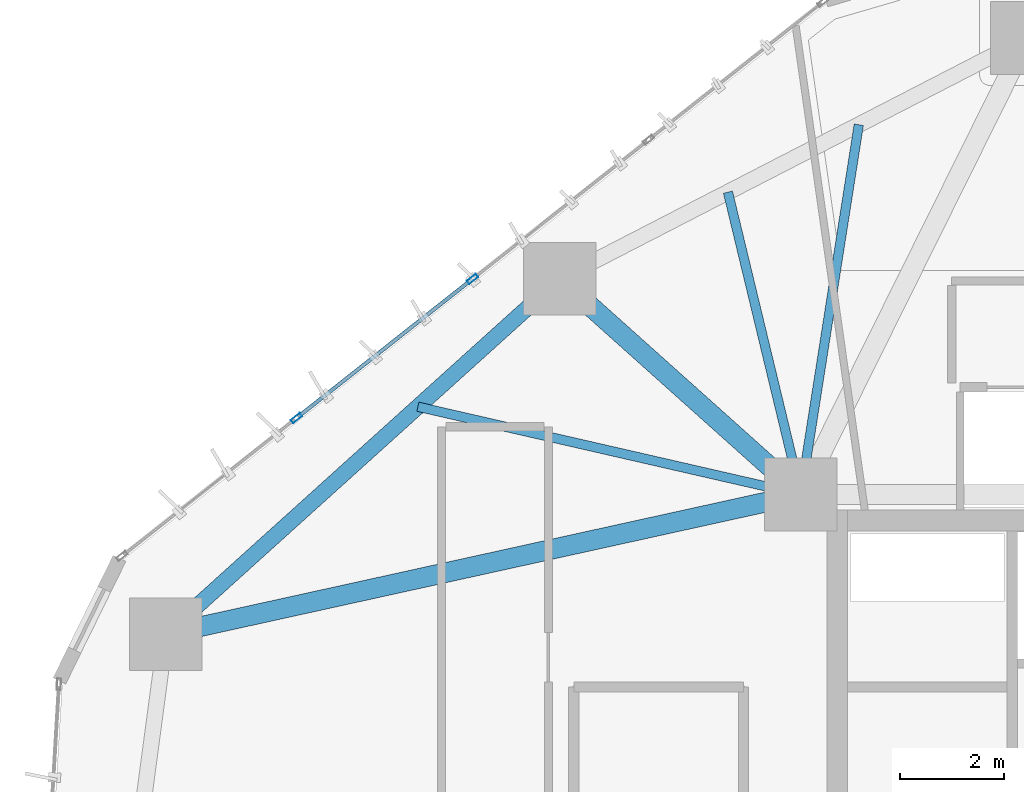
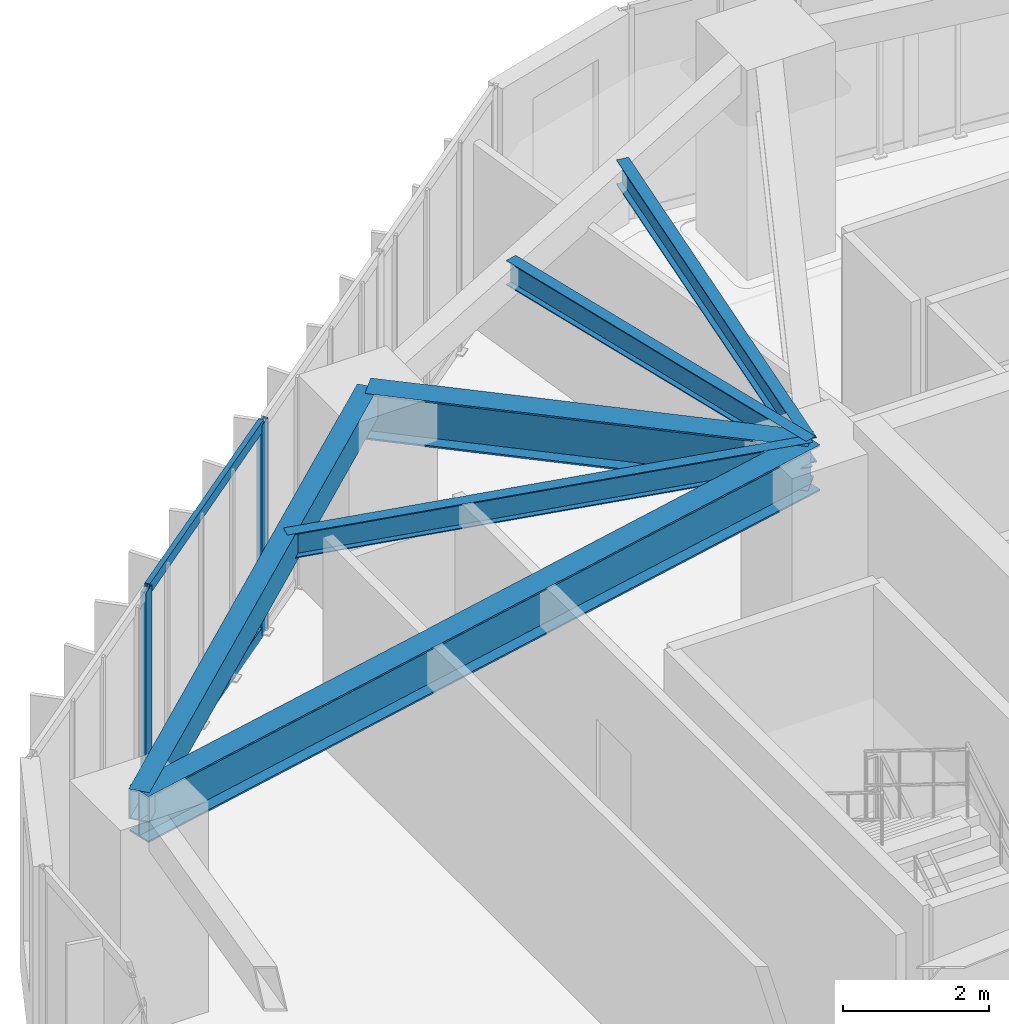
# One storey, part 7 of 24: 6 beams, 4 members, 1 element without a shape of its own.
"""IFC4 building model written with IfcOpenShell, lengths in metres."""

from ifc_helpers import new_model, si_unit, direction, frame, origin, origin_2d, place, context, subcontext, project, spatial, hollow_rectangle, i_section, extrude, source, transform, mapped, material, layer, layer_set, material_profile, profile_set, type_object, type_shapes, element, aggregate, save


model = new_model("IFC4")

# Units and contexts
model_context = context("Model", 3, precision=1e-05, world=origin(), true_north=direction((0.0, 1.0)))
body_context = subcontext(model_context, "Body", "Model", "MODEL_VIEW")
ifc_project = project(units=[si_unit("LENGTHUNIT", "METRE"), si_unit("AREAUNIT", "SQUARE_METRE"), si_unit("VOLUMEUNIT", "CUBIC_METRE"), si_unit("PLANEANGLEUNIT", "RADIAN"), si_unit("MASSUNIT", "GRAM", prefix="KILO")], contexts=[model_context])

# Site, building, storey
site_placement = place(None, origin())
site = spatial("IfcSite", under=ifc_project, at=site_placement, CompositionType="ELEMENT")
building_placement = place(site_placement, origin())
building = spatial("IfcBuilding", under=site, at=building_placement, Name="Talar Marvaseh", CompositionType="ELEMENT")
storey_placement = place(building_placement, frame((0.0, 0.0, 73.39990234375)))
storey = spatial("IfcBuildingStorey", under=building, at=storey_placement, Name="L18", CompositionType="ELEMENT", Elevation=73.39990234375)

# Beams
ifc_material_1 = material(Name="Steel S355", Category="steel")
ifc_material_profile_1 = material_profile(ifc_material_1, hollow_rectangle(XDim=0.300048828125, YDim=0.5, WallThickness=0.02001953125, at=origin_2d()), Name="RHS500x300x20")
ifc_profile_set_1 = profile_set([ifc_material_profile_1], Name="Steel S355")
beam_type_1 = type_object("IfcBeamType", Name="Zone 1 Perimeter Spandrel Beam RHS500x300x20", PredefinedType="SPANDREL", material=ifc_profile_set_1)
beam_1_placement = place(storey_placement, frame((6.501953125, 34.214111328125, 3.27001953125), z_axis=(0.742394279812, 0.669963232799, 0.0), x_axis=(-0.669963232799, 0.742394279812, 0.0)))
element("IfcBeam", 1, at=beam_1_placement, inside=storey, type_object=beam_type_1, Name="L18 Zone 1 Perimeter Spandrel Beam RHS500x300x20", PredefinedType="SPANDREL", context=body_context, shape_type="SweptSolid", body=[
    extrude(hollow_rectangle(XDim=0.300048828125, YDim=0.5, WallThickness=0.02001953125, at=origin_2d()), origin(), (0.0, 0.0, 1.0), 10.19287109375),
])
ifc_material_profile_2 = material_profile(ifc_material_1, i_section(OverallWidth=0.381103515625, OverallDepth=0.77294921875, WebThickness=0.0166015625, FlangeThickness=0.027099609375, at=origin_2d()), Name="W760x257")
ifc_profile_set_2 = profile_set([ifc_material_profile_2], Name="Steel S355")
beam_type_2 = type_object("IfcBeamType", Name="Zone 1 Radial Floor Girder W760x257", PredefinedType="BEAM", material=ifc_profile_set_2)
beam_2_placement = place(storey_placement, frame((6.501953125, 34.214111328125, 3.133544921875), z_axis=(0.976606962034, 0.215032187606, 0.0), x_axis=(-0.215032187606, 0.976606962034, 0.0)))
element("IfcBeam", 2, at=beam_2_placement, inside=storey, type_object=beam_type_2, Name="L18 Zone 1 Radial Floor Girder W760x257", PredefinedType="BEAM", context=body_context, shape_type="SweptSolid", body=[
    extrude(i_section(OverallWidth=0.381103515625, OverallDepth=0.77294921875, WebThickness=0.0166015625, FlangeThickness=0.027099609375, at=origin_2d()), origin(), (0.0, 0.0, 1.0), 12.490234375),
])
beam_3_placement = place(storey_placement, frame((14.069091796875, 41.04296875, 3.133544921875), z_axis=(0.745268030676, -0.666764997921, 0.0), x_axis=(0.666764997921, 0.745268030676, 0.0)))
element("IfcBeam", 3, at=beam_3_placement, inside=storey, type_object=beam_type_2, Name="L18 Zone 1 Radial Floor Girder W760x257", PredefinedType="BEAM", context=body_context, shape_type="SweptSolid", body=[
    extrude(i_section(OverallWidth=0.381103515625, OverallDepth=0.77294921875, WebThickness=0.0166015625, FlangeThickness=0.027099609375, at=origin_2d()), origin(), (0.0, 0.0, 1.0), 6.213623046875),
])
ifc_material_profile_3 = material_profile(ifc_material_1, i_section(OverallWidth=0.179931640625, OverallDepth=0.4130859375, WebThickness=0.009765625, FlangeThickness=0.01611328125, at=origin_2d()), Name="W410x75")
ifc_profile_set_3 = profile_set([ifc_material_profile_3], Name="Steel S355")
beam_type_3 = type_object("IfcBeamType", Name="Zone 1 Secondary Floor Joist W410x75", PredefinedType="JOIST", material=ifc_profile_set_3)
beam_4_placement = place(storey_placement, frame((11.344970703125, 38.584716796875, 3.3134765625), z_axis=(0.974752568621, -0.223287773885, 0.0), x_axis=(0.223287773885, 0.974752568621, 0.0)))
element("IfcBeam", 4, at=beam_4_placement, inside=storey, type_object=beam_type_3, Name="L18 Zone 1 Secondary Floor Joist W410x75", PredefinedType="JOIST", context=body_context, shape_type="SweptSolid", body=[
    extrude(i_section(OverallWidth=0.179931640625, OverallDepth=0.4130859375, WebThickness=0.009765625, FlangeThickness=0.01611328125, at=origin_2d()), origin(), (0.0, 0.0, 1.0), 7.54541015625),
])
beam_5_placement = place(storey_placement, frame((17.301025390625, 42.70751953125, 3.3134765625), z_axis=(0.234179742477, -0.972193318334, 0.0), x_axis=(0.972193318334, 0.234179742477, 0.0)))
element("IfcBeam", 5, at=beam_5_placement, inside=storey, type_object=beam_type_3, Name="L18 Zone 1 Secondary Floor Joist W410x75", PredefinedType="JOIST", context=body_context, shape_type="SweptSolid", body=[
    extrude(i_section(OverallWidth=0.179931640625, OverallDepth=0.4130859375, WebThickness=0.009765625, FlangeThickness=0.01611328125, at=origin_2d()), origin(), (0.0, 0.0, 1.0), 5.9736328125),
])
beam_6_placement = place(storey_placement, frame((19.81494140625, 44.00244140625, 3.3134765625), z_axis=(-0.15508539052, -0.987901068755, 0.0), x_axis=(0.987901068755, -0.15508539052, 0.0)))
element("IfcBeam", 6, at=beam_6_placement, inside=storey, type_object=beam_type_3, Name="L18 Zone 1 Secondary Floor Joist W410x75", PredefinedType="JOIST", context=body_context, shape_type="SweptSolid", body=[
    extrude(i_section(OverallWidth=0.179931640625, OverallDepth=0.4130859375, WebThickness=0.009765625, FlangeThickness=0.01611328125, at=origin_2d()), origin(), (0.0, 0.0, 1.0), 7.189453125),
])

# Curtain wall, members
ifc_material_2 = material(Name="Architectural Aluminium", Category="aluminium")
ifc_layer = layer(ifc_material_2, 0.219970703125)
ifc_layer_set = layer_set([ifc_layer], Name="Architectural Aluminium")
curtain_wall_type = type_object("IfcCurtainWallType", Name="Unitised Low-E Museum Curtain Wall Z1", PredefinedType="NOTDEFINED", material=ifc_layer_set)
curtain_wall_placement = place(storey_placement, origin())
curtain_wall = element("IfcCurtainWall", 7, at=curtain_wall_placement, inside=storey, type_object=curtain_wall_type, Name="L18 Unitised Low-E Museum Curtain Wall Z1", PredefinedType="NOTDEFINED")
ifc_material_profile_4 = material_profile(ifc_material_2, hollow_rectangle(XDim=0.080078125, YDim=0.219970703125, WallThickness=0.0048828125, at=origin_2d()), Name="RHS220x80x5")
ifc_profile_set_4 = profile_set([ifc_material_profile_4], Name="Architectural Aluminium")
member_type_1 = type_object("IfcMemberType", Name="Unitised Curtain Wall Heavy Mullion RHS220x80x5", PredefinedType="MULLION", material=ifc_profile_set_4)
shared_shape_1 = source(origin(), body_context, "Body", "SweptSolid", [
    extrude(hollow_rectangle(XDim=0.080078125, YDim=0.219970703125, WallThickness=0.0048828125, at=origin_2d()), origin(), (0.0, 0.0, 1.0), 3.52001953125),
])
type_shapes(member_type_1, [shared_shape_1])
member_1_placement = place(storey_placement, frame((9.01220703125, 38.365966796875, 0.0), z_axis=(0.0, 0.0, 1.0), x_axis=(-0.620022257974, 0.784584220857, 0.0)))
member_1 = element("IfcMember", 8, at=member_1_placement, type_object=member_type_1, Name="CW-Z1 mullion 2", PredefinedType="MULLION", context=body_context, shape_type="MappedRepresentation", body=[
    mapped(shared_shape_1, transform((0.0, 0.0, 0.0), x_axis=(1.0, 0.0, 0.0), y_axis=(0.0, 1.0, 0.0), z_axis=(0.0, 0.0, 1.0), scale=1.0)),
])
member_2_placement = place(storey_placement, frame((12.395263671875, 41.03955078125, 0.0), z_axis=(0.0, 0.0, 1.0), x_axis=(-0.620022257974, 0.784584220857, 0.0)))
member_2 = element("IfcMember", 9, at=member_2_placement, type_object=member_type_1, Name="CW-Z1 mullion 3", PredefinedType="MULLION", context=body_context, shape_type="MappedRepresentation", body=[
    mapped(shared_shape_1, transform((0.0, 0.0, 0.0), x_axis=(1.0, 0.0, 0.0), y_axis=(0.0, 1.0, 0.0), z_axis=(0.0, 0.0, 1.0), scale=1.0)),
])
ifc_material_profile_5 = material_profile(ifc_material_2, hollow_rectangle(XDim=0.074951171875, YDim=0.179931640625, WallThickness=0.0048828125, at=origin_2d()), Name="RHS180x75x5")
ifc_profile_set_5 = profile_set([ifc_material_profile_5], Name="Architectural Aluminium")
member_type_2 = type_object("IfcMemberType", Name="Unitised Curtain Wall Transom RHS180x75x5", PredefinedType="USERDEFINED", material=ifc_profile_set_5)
shared_shape_2 = source(origin(), body_context, "Body", "SweptSolid", [
    extrude(hollow_rectangle(XDim=0.074951171875, YDim=0.179931640625, WallThickness=0.0048828125, at=origin_2d()), origin(), (0.0, 0.0, 1.0), 4.23193359375),
])
type_shapes(member_type_2, [shared_shape_2])
member_3_placement = place(storey_placement, frame((9.04345703125, 38.390869140625, 0.03759765625), z_axis=(0.78459767319, 0.620005234836, 0.0), x_axis=(-0.620005234836, 0.78459767319, 0.0)))
member_3 = element("IfcMember", 10, at=member_3_placement, type_object=member_type_2, Name="CW-Z1 transom 2.1", ObjectType="TRANSOM", PredefinedType="USERDEFINED", context=body_context, shape_type="MappedRepresentation", body=[
    mapped(shared_shape_2, transform((0.0, 0.0, 0.0), x_axis=(1.0, 0.0, 0.0), y_axis=(0.0, 1.0, 0.0), z_axis=(0.0, 0.0, 1.0), scale=1.0)),
])
member_4_placement = place(storey_placement, frame((9.04345703125, 38.390869140625, 3.482666015625), z_axis=(0.78459767319, 0.620005234836, 0.0), x_axis=(-0.620005234836, 0.78459767319, 0.0)))
member_4 = element("IfcMember", 11, at=member_4_placement, type_object=member_type_2, Name="CW-Z1 transom 2.2", ObjectType="TRANSOM", PredefinedType="USERDEFINED", context=body_context, shape_type="MappedRepresentation", body=[
    mapped(shared_shape_2, transform((0.0, 0.0, 0.0), x_axis=(1.0, 0.0, 0.0), y_axis=(0.0, 1.0, 0.0), z_axis=(0.0, 0.0, 1.0), scale=1.0)),
])
aggregate(curtain_wall, [member_1, member_2, member_3, member_4])

save(model, "model.ifc")
